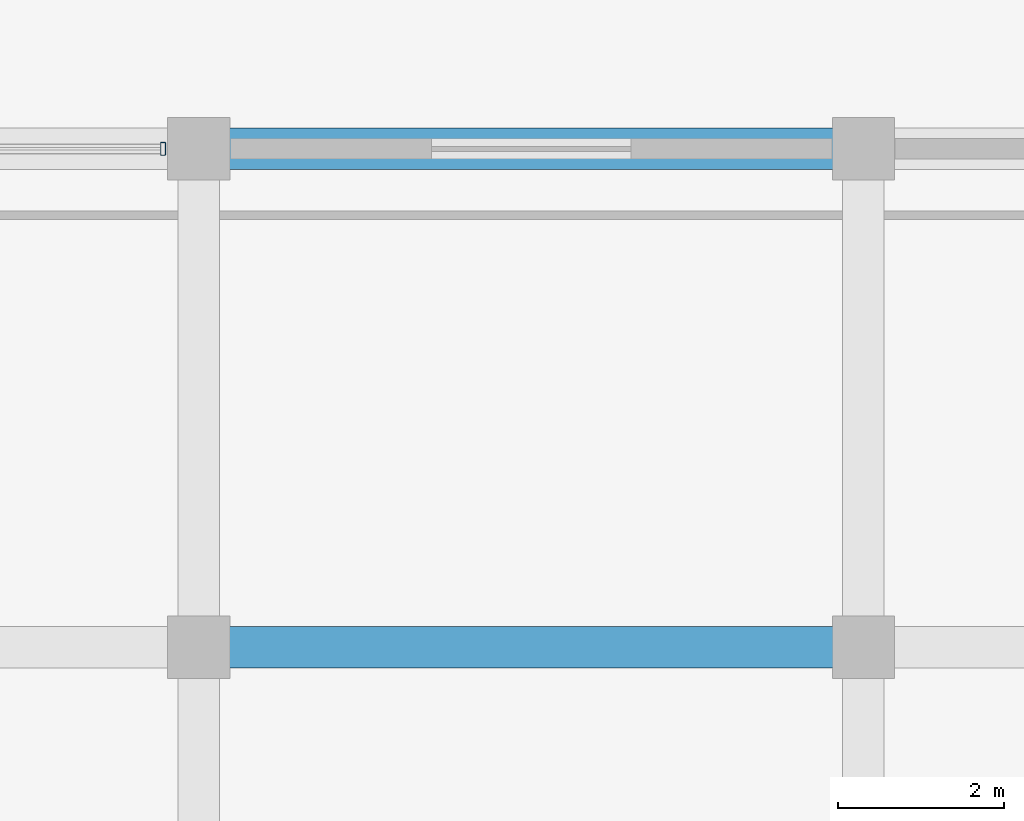
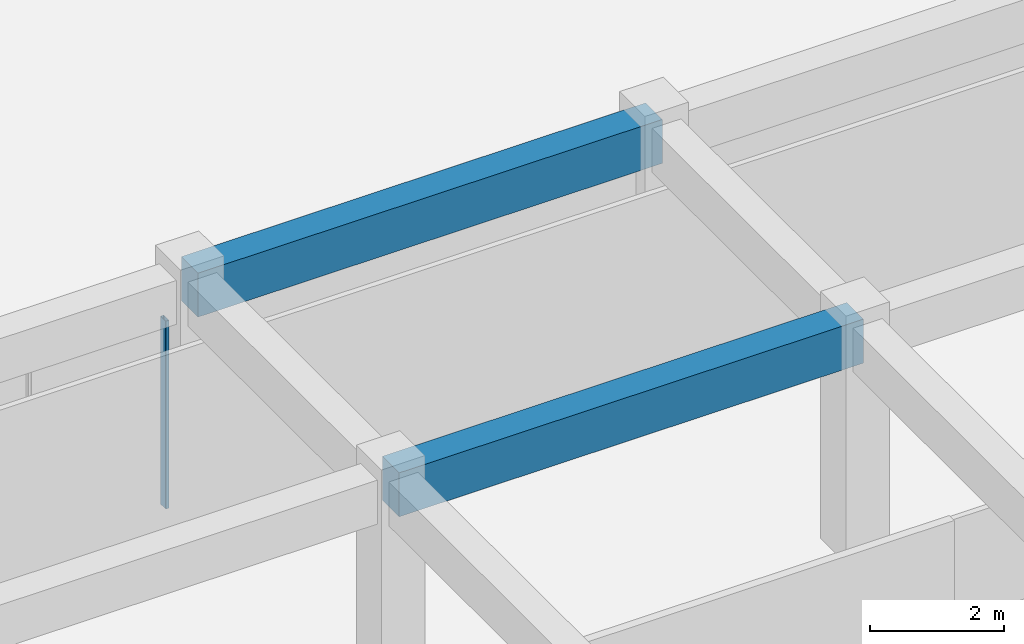
# One storey, part 11 of 40: 2 beams, 1 member, 1 element without a shape of its own.
"""IFC4 building model written with IfcOpenShell, lengths in metres."""

from ifc_helpers import new_model, si_unit, direction, frame, origin, origin_2d, place, context, subcontext, project, spatial, rectangle, hollow_rectangle, extrude, material, layer, layer_set, material_profile, profile_set, type_object, element, aggregate, save


model = new_model("IFC4")

# Units and contexts
model_context = context("Model", 3, precision=1e-05, world=origin(), true_north=direction((0.0, 1.0)))
body_context = subcontext(model_context, "Body", "Model", "MODEL_VIEW")
ifc_project = project(units=[si_unit("LENGTHUNIT", "METRE"), si_unit("AREAUNIT", "SQUARE_METRE"), si_unit("VOLUMEUNIT", "CUBIC_METRE"), si_unit("PLANEANGLEUNIT", "RADIAN"), si_unit("MASSUNIT", "GRAM", prefix="KILO")], contexts=[model_context])

# Site, building, storey
site_placement = place(None, origin())
site = spatial("IfcSite", under=ifc_project, at=site_placement, CompositionType="ELEMENT")
building_placement = place(site_placement, origin())
building = spatial("IfcBuilding", under=site, at=building_placement, Name="Kelanora Arch Commons", CompositionType="ELEMENT")
storey_placement = place(building_placement, origin())
storey = spatial("IfcBuildingStorey", under=building, at=storey_placement, Name="L00", CompositionType="ELEMENT", Elevation=0.0)

# Beams
ifc_material_1 = material(Name="Concrete C40/50", Category="concrete")
ifc_material_profile_1 = material_profile(ifc_material_1, rectangle(XDim=0.5, YDim=0.800048828125, at=origin_2d()), Name="RCB500x800")
ifc_profile_set_1 = profile_set([ifc_material_profile_1], Name="Concrete C40/50")
beam_type = type_object("IfcBeamType", Name="BM-MKT-RC1", PredefinedType="BEAM", material=ifc_profile_set_1)
for number, where, z_axis, x_axis, name in (
    (1, (44.0, 20.0, 3.840087890625), (1.0, 0.0, 0.0), (0.0, 1.0, 0.0), "Market/Basement Frame Beam 098 L00"),
    (2, (44.0, 26.0, 3.840087890625), (1.0, 0.0, 0.0), (0.0, 1.0, 0.0), "Market/Basement Frame Beam 100 L00"),
):
    element("IfcBeam", number, at=place(storey_placement, frame(where, z_axis=z_axis, x_axis=x_axis)), inside=storey, type_object=beam_type, Name=name, PredefinedType="BEAM", context=body_context, shape_type="SweptSolid", body=[
        extrude(rectangle(XDim=0.5, YDim=0.800048828125, at=origin_2d()), origin(), (0.0, 0.0, 1.0), 8.0),
    ])

# Curtain wall, member
ifc_material_2 = material(Name="Terracotta ceramic-fritted low-E glass and aluminium", Category="masonry")
ifc_layer = layer(ifc_material_2, 0.16796875)
ifc_layer_set = layer_set([ifc_layer], Name="Terracotta ceramic-fritted low-E glass and aluminium")
curtain_wall_type = type_object("IfcCurtainWallType", Name="CW-SYS-07", PredefinedType="NOTDEFINED", material=ifc_layer_set)
curtain_wall_placement = place(storey_placement, origin())
curtain_wall = element("IfcCurtainWall", 3, at=curtain_wall_placement, inside=storey, type_object=curtain_wall_type, Name="Market Hall Arcade Curtain Wall L00-22", PredefinedType="NOTDEFINED")
ifc_material_3 = material(Name="Powder-coated aluminium terracotta", Category="masonry")
ifc_material_profile_2 = material_profile(ifc_material_3, hollow_rectangle(XDim=0.159912109375, YDim=0.06005859375, WallThickness=0.0048828125, InnerFilletRadius=0.0048828125, OuterFilletRadius=0.010009765625, at=origin_2d()), Name="CWM160x60")
ifc_profile_set_2 = profile_set([ifc_material_profile_2], Name="Powder-coated aluminium terracotta")
member_type = type_object("IfcMemberType", Name="CWM-STD", PredefinedType="MULLION", material=ifc_profile_set_2)
member_placement = place(storey_placement, frame((43.570068359375, 26.0, 0.0), z_axis=(0.0, 0.0, 1.0), x_axis=(0.0, -1.0, 0.0)))
member = element("IfcMember", 4, at=member_placement, type_object=member_type, Name="CW-07 mullion 1", PredefinedType="MULLION", context=body_context, shape_type="SweptSolid", body=[
    extrude(hollow_rectangle(XDim=0.159912109375, YDim=0.06005859375, WallThickness=0.0048828125, InnerFilletRadius=0.0048828125, OuterFilletRadius=0.010009765625, at=origin_2d()), origin(), (0.0, 0.0, 1.0), 3.419921875),
])
aggregate(curtain_wall, [member])

save(model, "model.ifc")
